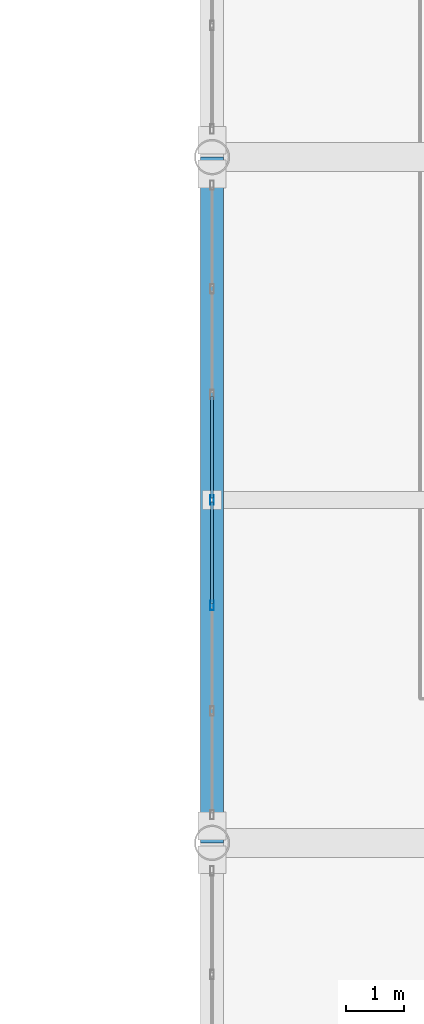
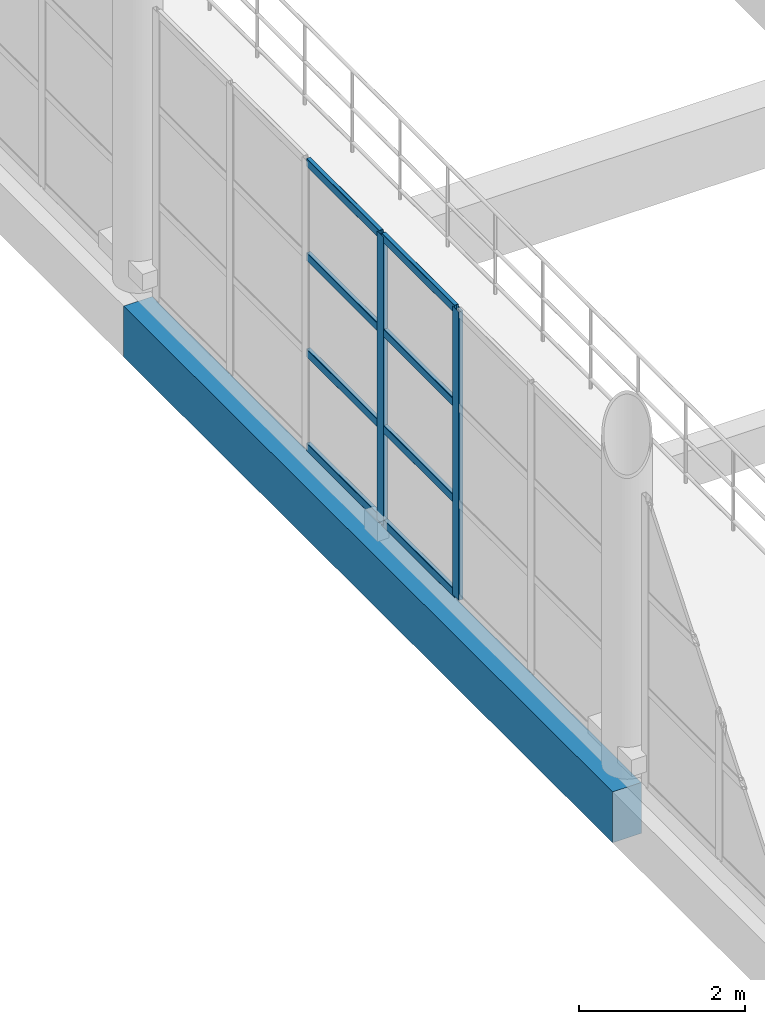
# One storey, part 54 of 175: 10 members, 1 beam, 1 element without a shape of its own.
"""IFC4 building model written with IfcOpenShell, lengths in metres."""

from ifc_helpers import new_model, si_unit, direction, frame, origin, origin_2d, place, context, subcontext, project, spatial, rectangle, hollow_rectangle, extrude, material, material_profile, profile_set, type_object, element, aggregate, save


model = new_model("IFC4")

# Units and contexts
model_context = context("Model", 3, precision=1e-05, world=origin(), true_north=direction((0.0, 1.0)))
body_context = subcontext(model_context, "Body", "Model", "MODEL_VIEW")
ifc_project = project(units=[si_unit("LENGTHUNIT", "METRE"), si_unit("AREAUNIT", "SQUARE_METRE"), si_unit("VOLUMEUNIT", "CUBIC_METRE"), si_unit("PLANEANGLEUNIT", "RADIAN"), si_unit("MASSUNIT", "GRAM", prefix="KILO")], contexts=[model_context])

# Site, building, storey
site_placement = place(None, origin())
site = spatial("IfcSite", under=ifc_project, at=site_placement, CompositionType="ELEMENT")
building_placement = place(site_placement, origin())
building = spatial("IfcBuilding", under=site, at=building_placement, Name="Brelvane Convention Centre", CompositionType="ELEMENT")
storey_placement = place(building_placement, frame((0.0, 0.0, 5.39990234375)))
storey = spatial("IfcBuildingStorey", under=building, at=storey_placement, Name="L01", CompositionType="ELEMENT", Elevation=5.39990234375)

# Curtain wall, members
ifc_material_1 = material(Name="Anodised Aluminium Alloy 6063-T6", Category="aluminium")
curtain_wall_type = type_object("IfcCurtainWallType", Name="Curtain Wall CW-CONC", PredefinedType="USERDEFINED", material=ifc_material_1)
curtain_wall_placement = place(storey_placement, origin())
curtain_wall = element("IfcCurtainWall", 1, at=curtain_wall_placement, inside=storey, type_object=curtain_wall_type, Name="Curtain Wall CW-CONC L01-GAL-ATRIUM-W-2", ObjectType="UNITISED", PredefinedType="USERDEFINED")
ifc_material_2 = material(Name="Anodised Aluminium Alloy 6063-T6", Category="aluminium")
ifc_material_profile_1 = material_profile(ifc_material_2, hollow_rectangle(XDim=0.06494140625, YDim=0.159912109375, WallThickness=0.00390625, InnerFilletRadius=0.00390625, OuterFilletRadius=0.008056640625, at=origin_2d()), Name="ALU-M 160x65x4.0")
ifc_profile_set_1 = profile_set([ifc_material_profile_1], Name="Anodised Aluminium Alloy 6063-T6")
member_type_1 = type_object("IfcMemberType", Name="Curtain Mullion CW-M3", PredefinedType="MULLION", material=ifc_profile_set_1)
member_1_placement = place(storey_placement, frame((142.800048828125, 56.4833984375, 0.0), z_axis=(0.0, 0.0, 1.0), x_axis=(-1.0, 0.0, 0.0)))
member_1 = element("IfcMember", 2, at=member_1_placement, type_object=member_type_1, Name="CW-CONC mullion 3", PredefinedType="MULLION", context=body_context, shape_type="SweptSolid", body=[
    extrude(hollow_rectangle(XDim=0.06494140625, YDim=0.159912109375, WallThickness=0.00390625, InnerFilletRadius=0.00390625, OuterFilletRadius=0.008056640625, at=origin_2d()), origin(), (0.0, 0.0, 1.0), 4.25),
])
member_2_placement = place(storey_placement, frame((142.800048828125, 58.300048828125, 0.0), z_axis=(0.0, 0.0, 1.0), x_axis=(-1.0, 0.0, 0.0)))
member_2 = element("IfcMember", 3, at=member_2_placement, type_object=member_type_1, Name="CW-CONC mullion 4", PredefinedType="MULLION", context=body_context, shape_type="SweptSolid", body=[
    extrude(hollow_rectangle(XDim=0.06494140625, YDim=0.159912109375, WallThickness=0.00390625, InnerFilletRadius=0.00390625, OuterFilletRadius=0.008056640625, at=origin_2d()), origin(), (0.0, 0.0, 1.0), 4.25),
])
ifc_material_3 = material(Name="Anodised Aluminium Alloy 6063-T6", Category="aluminium")
ifc_material_profile_2 = material_profile(ifc_material_3, hollow_rectangle(XDim=0.06005859375, YDim=0.1201171875, WallThickness=0.00390625, InnerFilletRadius=0.00390625, OuterFilletRadius=0.008056640625, at=origin_2d()), Name="ALU-T 120x60x4.0")
ifc_profile_set_2 = profile_set([ifc_material_profile_2], Name="Anodised Aluminium Alloy 6063-T6")
member_type_2 = type_object("IfcMemberType", Name="Curtain Transom CW-T3", PredefinedType="USERDEFINED", material=ifc_profile_set_2)
member_3_placement = place(storey_placement, frame((142.800048828125, 56.515869140625, 0.030029296875), z_axis=(0.0, 1.0, 0.0), x_axis=(-1.0, 0.0, 0.0)))
member_3 = element("IfcMember", 4, at=member_3_placement, type_object=member_type_2, Name="CW-CONC transom 3.1", ObjectType="TRANSOM", PredefinedType="USERDEFINED", context=body_context, shape_type="SweptSolid", body=[
    extrude(hollow_rectangle(XDim=0.06005859375, YDim=0.1201171875, WallThickness=0.00390625, InnerFilletRadius=0.00390625, OuterFilletRadius=0.008056640625, at=origin_2d()), origin(), (0.0, 0.0, 1.0), 1.751708984375),
])
member_4_placement = place(storey_placement, frame((142.800048828125, 56.515869140625, 1.416748046875), z_axis=(0.0, 1.0, 0.0), x_axis=(-1.0, 0.0, 0.0)))
member_4 = element("IfcMember", 5, at=member_4_placement, type_object=member_type_2, Name="CW-CONC transom 3.2", ObjectType="TRANSOM", PredefinedType="USERDEFINED", context=body_context, shape_type="SweptSolid", body=[
    extrude(hollow_rectangle(XDim=0.06005859375, YDim=0.1201171875, WallThickness=0.00390625, InnerFilletRadius=0.00390625, OuterFilletRadius=0.008056640625, at=origin_2d()), origin(), (0.0, 0.0, 1.0), 1.751708984375),
])
member_5_placement = place(storey_placement, frame((142.800048828125, 56.515869140625, 2.83349609375), z_axis=(0.0, 1.0, 0.0), x_axis=(-1.0, 0.0, 0.0)))
member_5 = element("IfcMember", 6, at=member_5_placement, type_object=member_type_2, Name="CW-CONC transom 3.3", ObjectType="TRANSOM", PredefinedType="USERDEFINED", context=body_context, shape_type="SweptSolid", body=[
    extrude(hollow_rectangle(XDim=0.06005859375, YDim=0.1201171875, WallThickness=0.00390625, InnerFilletRadius=0.00390625, OuterFilletRadius=0.008056640625, at=origin_2d()), origin(), (0.0, 0.0, 1.0), 1.751708984375),
])
member_6_placement = place(storey_placement, frame((142.800048828125, 56.515869140625, 4.22021484375), z_axis=(0.0, 1.0, 0.0), x_axis=(-1.0, 0.0, 0.0)))
member_6 = element("IfcMember", 7, at=member_6_placement, type_object=member_type_2, Name="CW-CONC transom 3.4", ObjectType="TRANSOM", PredefinedType="USERDEFINED", context=body_context, shape_type="SweptSolid", body=[
    extrude(hollow_rectangle(XDim=0.06005859375, YDim=0.1201171875, WallThickness=0.00390625, InnerFilletRadius=0.00390625, OuterFilletRadius=0.008056640625, at=origin_2d()), origin(), (0.0, 0.0, 1.0), 1.751708984375),
])
member_7_placement = place(storey_placement, frame((142.800048828125, 58.33251953125, 0.030029296875), z_axis=(0.0, 1.0, 0.0), x_axis=(-1.0, 0.0, 0.0)))
member_7 = element("IfcMember", 8, at=member_7_placement, type_object=member_type_2, Name="CW-CONC transom 4.1", ObjectType="TRANSOM", PredefinedType="USERDEFINED", context=body_context, shape_type="SweptSolid", body=[
    extrude(hollow_rectangle(XDim=0.06005859375, YDim=0.1201171875, WallThickness=0.00390625, InnerFilletRadius=0.00390625, OuterFilletRadius=0.008056640625, at=origin_2d()), origin(), (0.0, 0.0, 1.0), 1.751708984375),
])
member_8_placement = place(storey_placement, frame((142.800048828125, 58.33251953125, 1.416748046875), z_axis=(0.0, 1.0, 0.0), x_axis=(-1.0, 0.0, 0.0)))
member_8 = element("IfcMember", 9, at=member_8_placement, type_object=member_type_2, Name="CW-CONC transom 4.2", ObjectType="TRANSOM", PredefinedType="USERDEFINED", context=body_context, shape_type="SweptSolid", body=[
    extrude(hollow_rectangle(XDim=0.06005859375, YDim=0.1201171875, WallThickness=0.00390625, InnerFilletRadius=0.00390625, OuterFilletRadius=0.008056640625, at=origin_2d()), origin(), (0.0, 0.0, 1.0), 1.751708984375),
])
member_9_placement = place(storey_placement, frame((142.800048828125, 58.33251953125, 2.83349609375), z_axis=(0.0, 1.0, 0.0), x_axis=(-1.0, 0.0, 0.0)))
member_9 = element("IfcMember", 10, at=member_9_placement, type_object=member_type_2, Name="CW-CONC transom 4.3", ObjectType="TRANSOM", PredefinedType="USERDEFINED", context=body_context, shape_type="SweptSolid", body=[
    extrude(hollow_rectangle(XDim=0.06005859375, YDim=0.1201171875, WallThickness=0.00390625, InnerFilletRadius=0.00390625, OuterFilletRadius=0.008056640625, at=origin_2d()), origin(), (0.0, 0.0, 1.0), 1.751708984375),
])
member_10_placement = place(storey_placement, frame((142.800048828125, 58.33251953125, 4.22021484375), z_axis=(0.0, 1.0, 0.0), x_axis=(-1.0, 0.0, 0.0)))
member_10 = element("IfcMember", 11, at=member_10_placement, type_object=member_type_2, Name="CW-CONC transom 4.4", ObjectType="TRANSOM", PredefinedType="USERDEFINED", context=body_context, shape_type="SweptSolid", body=[
    extrude(hollow_rectangle(XDim=0.06005859375, YDim=0.1201171875, WallThickness=0.00390625, InnerFilletRadius=0.00390625, OuterFilletRadius=0.008056640625, at=origin_2d()), origin(), (0.0, 0.0, 1.0), 1.751708984375),
])
aggregate(curtain_wall, [member_1, member_2, member_3, member_4, member_5, member_6, member_7, member_8, member_9, member_10])

# Beam
ifc_material_4 = material(Name="Concrete M40", Category="concrete")
ifc_material_profile_3 = material_profile(ifc_material_4, rectangle(XDim=0.39990234375, YDim=0.75, at=origin_2d()), Name="RC 400x750")
ifc_profile_set_3 = profile_set([ifc_material_profile_3], Name="Concrete M40")
beam_type = type_object("IfcBeamType", Name="RC Spandrel SP-RC1 (RC 400x750)", PredefinedType="SPANDREL", material=ifc_profile_set_3)
beam_placement = place(storey_placement, frame((142.800048828125, 52.39990234375, -0.704833984375), z_axis=(0.0, 1.0, 0.0), x_axis=(-1.0, 0.0, 0.0)))
element("IfcBeam", 12, at=beam_placement, inside=storey, type_object=beam_type, Name="L01 Girder 15/F-G", PredefinedType="SPANDREL", context=body_context, shape_type="SweptSolid", body=[
    extrude(rectangle(XDim=0.39990234375, YDim=0.75, at=origin_2d()), origin(), (0.0, 0.0, 1.0), 11.800048828125),
])

save(model, "model.ifc")
